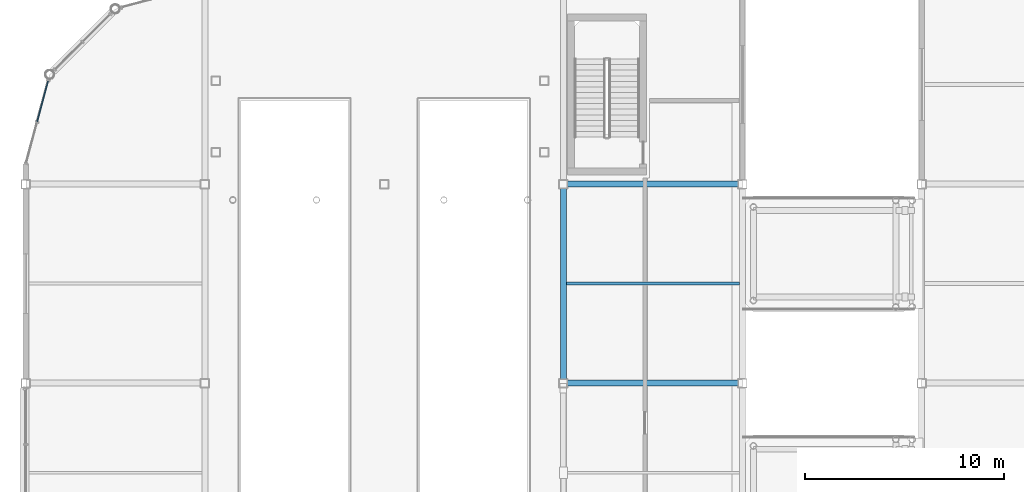
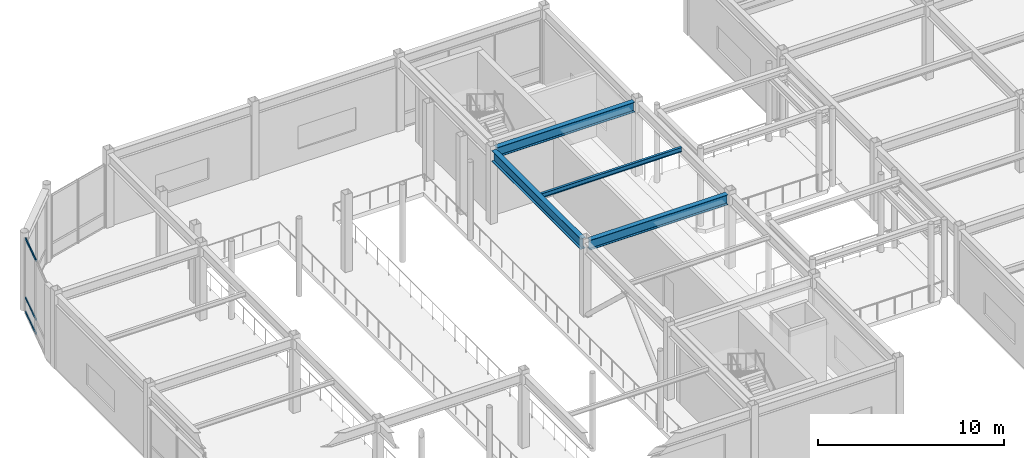
# One storey, part 43 of 123: 4 beams, 3 members, 1 element without a shape of its own.
"""IFC4 building model written with IfcOpenShell, lengths in metres."""

import ifcopenshell
import ifcopenshell.guid

model = None  # the IFC model being written
_history = None  # IfcOwnerHistory: only IFC2X3 demands one
_inside = {}  # id of a spatial element -> (the spatial element, [elements in it])
_under = {}  # id of a project, library or spatial element -> (it, [spatial elements below it])
_declared = {}  # id of a project -> (the project, [libraries it declares])
_typed = {}  # id of a type object -> (the type object, [elements of that type])
_made_of = {}  # id of a material, layer set ... -> (it, [elements and type objects made of it])


def new_model(schema):
    """Start an empty IFC model of exactly this schema.

    Asked for "IFC4X3", IfcOpenShell would pick the latest addendum, in which some entities
    have other attributes; the version numbers below select the first issue.
    IFC2X3 requires an IfcOwnerHistory on every rooted entity: one is made here for all.
    """
    global model, _history
    if schema == "IFC4X3":
        model = ifcopenshell.file(schema_version=(4, 3, 0, 0))
    else:
        model = ifcopenshell.file(schema=schema)
    _inside.clear()
    _under.clear()
    _declared.clear()
    _typed.clear()
    _made_of.clear()
    _history = None
    if model.schema == "IFC2X3":
        org = make("IfcOrganization", Name="unknown")
        user = make(
            "IfcPersonAndOrganization",
            ThePerson=make("IfcPerson", FamilyName="unknown"),
            TheOrganization=org,
        )
        app = make(
            "IfcApplication",
            ApplicationDeveloper=org,
            Version="unknown",
            ApplicationFullName="unknown",
            ApplicationIdentifier="unknown",
        )
        _history = make(
            "IfcOwnerHistory",
            OwningUser=user,
            OwningApplication=app,
            ChangeAction="ADDED",
            CreationDate=0,
        )
    return model


def make(cls, **values):
    """One entity of the class cls with the attributes given. An attribute that is None is left unset."""
    return model.create_entity(
        cls, **{name: value for name, value in values.items() if value is not None}
    )


def rooted(cls, **values):
    """An entity with a GlobalId (a new one), such as an element, a storey or a relation."""
    return make(cls, GlobalId=ifcopenshell.guid.new(), OwnerHistory=_history, **values)


def si_unit(unit_type, name, prefix=None):
    """IfcSIUnit, for example si_unit("LENGTHUNIT", "METRE", prefix="MILLI")."""
    return make("IfcSIUnit", UnitType=unit_type, Prefix=prefix, Name=name)


def assignment(units):
    """IfcUnitAssignment: the units of a project."""
    return None if units is None else make("IfcUnitAssignment", Units=units)


def point(xyz):
    """IfcCartesianPoint."""
    return None if xyz is None else make("IfcCartesianPoint", Coordinates=xyz)


def direction(xyz):
    """IfcDirection."""
    return None if xyz is None else make("IfcDirection", DirectionRatios=xyz)


def frame(location, z_axis=None, x_axis=None):
    """IfcAxis2Placement3D, a coordinate frame: its origin and axes. An axis left out is left unset."""
    return make(
        "IfcAxis2Placement3D",
        Location=point(location),
        Axis=direction(z_axis),
        RefDirection=direction(x_axis),
    )


def frame_2d(location, x_axis=None):
    """IfcAxis2Placement2D, a coordinate frame in the plane: its origin and x axis."""
    return make(
        "IfcAxis2Placement2D", Location=point(location), RefDirection=direction(x_axis)
    )


def origin():
    """The frame at (0, 0, 0) with its axes left unset."""
    return frame((0.0, 0.0, 0.0))


def origin_2d():
    """The frame at (0, 0) in the plane with its x axis left unset."""
    return frame_2d((0.0, 0.0))


def place(relative_to, where):
    """IfcLocalPlacement: puts the frame where relative to a parent placement (None: the world)."""
    return make(
        "IfcLocalPlacement", PlacementRelTo=relative_to, RelativePlacement=where
    )


def context(
    kind, dimensions, precision=None, world=None, true_north=None, identifier=None
):
    """IfcGeometricRepresentationContext, for example the 3D "Model" context."""
    return make(
        "IfcGeometricRepresentationContext",
        ContextIdentifier=identifier,
        ContextType=kind,
        CoordinateSpaceDimension=dimensions,
        Precision=precision,
        WorldCoordinateSystem=world,
        TrueNorth=true_north,
    )


def subcontext(parent, identifier, kind, view, scale=None):
    """IfcGeometricRepresentationSubContext, for example "Body" below "Model"."""
    return make(
        "IfcGeometricRepresentationSubContext",
        ContextIdentifier=identifier,
        ContextType=kind,
        ParentContext=parent,
        TargetScale=scale,
        TargetView=view,
    )


def project(units=None, contexts=None):
    """IfcProject with its units and contexts."""
    return rooted(
        "IfcProject",
        Name="project",
        RepresentationContexts=contexts,
        UnitsInContext=assignment(units),
    )


def spatial(cls, under=None, at=None, **own):
    """A site, building, storey or space (cls), placed at a placement, below another one or the project."""
    s = rooted(cls, ObjectPlacement=at, **own)
    if under is not None:
        _under.setdefault(under.id(), (under, []))[1].append(s)
    return s


def profile(cls, at=None, kind="AREA", **sizes):
    """A parametric profile (cls). Its sizes go by their IFC names, for example OverallWidth=200.0."""
    return make(cls, ProfileType=kind, Position=at, **sizes)


def rectangle(**sizes):
    """IfcRectangleProfileDef."""
    return profile("IfcRectangleProfileDef", **sizes)


def i_section(**sizes):
    """IfcIShapeProfileDef."""
    return profile("IfcIShapeProfileDef", **sizes)


def extrude(swept, where, along, depth):
    """IfcExtrudedAreaSolid: the profile swept, set in the frame where, extruded along a direction by depth."""
    return make(
        "IfcExtrudedAreaSolid",
        SweptArea=swept,
        Position=where,
        ExtrudedDirection=direction(along),
        Depth=depth,
    )


def shape(context_of_items, identifier, shape_type, items):
    """IfcShapeRepresentation: the items that make up one representation, for example the "Body"."""
    return make(
        "IfcShapeRepresentation",
        ContextOfItems=context_of_items,
        RepresentationIdentifier=identifier,
        RepresentationType=shape_type,
        Items=items,
    )


def material(Name=None, Category=None):
    """IfcMaterial."""
    return make("IfcMaterial", Name=Name, Category=Category)


def material_profile(
    of_material, cross_section, Name=None, Category=None, Priority=None
):
    """IfcMaterialProfile: a cross section and its material."""
    return make(
        "IfcMaterialProfile",
        Name=Name,
        Material=of_material,
        Profile=cross_section,
        Priority=Priority,
        Category=Category,
    )


def profile_set(profiles, Name=None, composite=None):
    """IfcMaterialProfileSet."""
    return make(
        "IfcMaterialProfileSet",
        Name=Name,
        MaterialProfiles=profiles,
        CompositeProfile=composite,
    )


def made_of(thing, what):
    """Note that an element or type object is made of a material, layer set ...; save() writes the relation."""
    if what is not None:
        _made_of.setdefault(what.id(), (what, []))[1].append(thing)
    return thing


def type_object(cls, material=None, **own):
    """A type object (cls), such as IfcWallType, which elements share."""
    return made_of(rooted(cls, **own), material)


def element(
    cls,
    number,
    at=None,
    inside=None,
    cuts=None,
    type_object=None,
    material=None,
    context=None,
    identifier="Body",
    shape_type=None,
    held_by="IfcProductDefinitionShape",
    body=None,
    shapes=None,
    **own,
):
    """One element of the class cls, such as IfcWall. Its Tag is "e" and its number.

    at: its placement. inside: the storey or other place that contains it. cuts: it is an
    opening in that element (IfcRelVoidsElement). A single representation is given by context,
    identifier, shape_type and body (its items); several are given by shapes. held_by: the class
    of the entity that holds the representations. save() writes the other relations.
    """
    e = rooted(cls, Tag="e%d" % number, ObjectPlacement=at, **own)
    if body is not None:
        shapes = [shape(context, identifier, shape_type, body)]
    if shapes is not None:
        e.Representation = make(held_by, Representations=shapes)
    if inside is not None:
        _inside.setdefault(inside.id(), (inside, []))[1].append(e)
    if cuts is not None:
        rooted(
            "IfcRelVoidsElement", RelatingBuildingElement=cuts, RelatedOpeningElement=e
        )
    if type_object is not None:
        _typed.setdefault(type_object.id(), (type_object, []))[1].append(e)
    return made_of(e, material)


def aggregate(whole, parts):
    """IfcRelAggregates: a whole, such as a stair, and the parts it consists of."""
    return rooted("IfcRelAggregates", RelatingObject=whole, RelatedObjects=parts)


def save(model, path):
    """Write the relations noted so far, then the file.

    IfcRelAggregates (storeys below a building ...), IfcRelContainedInSpatialStructure (elements
    in a storey), IfcRelDefinesByType, IfcRelAssociatesMaterial and IfcRelDeclares: one each for
    every whole, place, type object, material and project.
    """
    for whole, parts in _under.values():
        aggregate(whole, parts)
    for where, things in _inside.values():
        rooted(
            "IfcRelContainedInSpatialStructure",
            RelatedElements=things,
            RelatingStructure=where,
        )
    for kind, things in _typed.values():
        rooted("IfcRelDefinesByType", RelatedObjects=things, RelatingType=kind)
    for what, things in _made_of.values():
        rooted("IfcRelAssociatesMaterial", RelatedObjects=things, RelatingMaterial=what)
    for by, libraries in _declared.values():
        rooted("IfcRelDeclares", RelatingContext=by, RelatedDefinitions=libraries)
    model.write(path)


model = new_model("IFC4")

# Units and contexts
model_context = context("Model", 3, precision=1e-05, world=origin(), true_north=direction((0.0, 1.0)))
body_context = subcontext(model_context, "Body", "Model", "MODEL_VIEW")
ifc_project = project(units=[si_unit("LENGTHUNIT", "METRE"), si_unit("AREAUNIT", "SQUARE_METRE"), si_unit("VOLUMEUNIT", "CUBIC_METRE"), si_unit("PLANEANGLEUNIT", "RADIAN"), si_unit("MASSUNIT", "GRAM", prefix="KILO")], contexts=[model_context])

# Site, building, storey
site_placement = place(None, origin())
site = spatial("IfcSite", under=ifc_project, at=site_placement, CompositionType="ELEMENT")
building_placement = place(site_placement, origin())
building = spatial("IfcBuilding", under=site, at=building_placement, Name="Suzunagisa Mobility Hub", CompositionType="ELEMENT")
storey_placement = place(building_placement, origin())
storey = spatial("IfcBuildingStorey", under=building, at=storey_placement, Name="L00", CompositionType="ELEMENT", Elevation=0.0)

# Curtain wall, members
ifc_material_1 = material(Name="Thermally Broken Anodized Aluminum and Low-E Glazing", Category="aluminium")
curtain_wall_type = type_object("IfcCurtainWallType", Name="Unitised Curtain Wall CW-08 4500x4800", PredefinedType="USERDEFINED", material=ifc_material_1)
curtain_wall_placement = place(storey_placement, origin())
curtain_wall = element("IfcCurtainWall", 1, at=curtain_wall_placement, inside=storey, type_object=curtain_wall_type, Name="L00 Unitised Curtain Wall CW-50", ObjectType="UNITISED CURTAIN WALL", PredefinedType="USERDEFINED")
ifc_material_2 = material(Name="Anodized Aluminum 6063-T6", Category="aluminium")
ifc_material_profile_1 = material_profile(ifc_material_2, rectangle(XDim=0.06005859375, YDim=0.1201171875, at=origin_2d()), Name="TRAN-60x120")
ifc_profile_set_1 = profile_set([ifc_material_profile_1], Name="Anodized Aluminum 6063-T6")
member_type = type_object("IfcMemberType", Name="Curtain Wall Framing CM-02 TRAN-60x120", PredefinedType="USERDEFINED", material=ifc_profile_set_1)
member_1_placement = place(storey_placement, frame((1.116943359375, 113.168701171875, 0.030029296875), z_axis=(-0.258837010304, -0.965921012349, 0.0), x_axis=(0.965921012349, -0.258837010304, 0.0)))
member_1 = element("IfcMember", 2, at=member_1_placement, type_object=member_type, Name="Curtain Wall Transom 50-T1.1", ObjectType="TRANSOM", PredefinedType="USERDEFINED", context=body_context, shape_type="SweptSolid", body=[
    extrude(rectangle(XDim=0.06005859375, YDim=0.1201171875, at=origin_2d()), origin(), (0.0, 0.0, 1.0), 2.095947265625),
])
member_2_placement = place(storey_placement, frame((1.116943359375, 113.168701171875, 0.949951171875), z_axis=(-0.258837010304, -0.965921012349, 0.0), x_axis=(0.965921012349, -0.258837010304, 0.0)))
member_2 = element("IfcMember", 3, at=member_2_placement, type_object=member_type, Name="Curtain Wall Transom 50-T1.2", ObjectType="TRANSOM", PredefinedType="USERDEFINED", context=body_context, shape_type="SweptSolid", body=[
    extrude(rectangle(XDim=0.06005859375, YDim=0.1201171875, at=origin_2d()), origin(), (0.0, 0.0, 1.0), 2.095947265625),
])
member_3_placement = place(storey_placement, frame((1.116943359375, 113.168701171875, 4.81005859375), z_axis=(-0.258837010304, -0.965921012349, 0.0), x_axis=(0.965921012349, -0.258837010304, 0.0)))
member_3 = element("IfcMember", 4, at=member_3_placement, type_object=member_type, Name="Curtain Wall Transom 50-T1.3", ObjectType="TRANSOM", PredefinedType="USERDEFINED", context=body_context, shape_type="SweptSolid", body=[
    extrude(rectangle(XDim=0.06005859375, YDim=0.1201171875, at=origin_2d()), origin(), (0.0, 0.0, 1.0), 2.095947265625),
])
aggregate(curtain_wall, [member_1, member_2, member_3])

# Beams
ifc_material_3 = material(Name="Steel SN490B", Category="steel")
ifc_material_profile_2 = material_profile(ifc_material_3, i_section(OverallWidth=0.300048828125, OverallDepth=0.64990234375, WebThickness=0.012939453125, FlangeThickness=0.02197265625, FilletRadius=0.01611328125, at=origin_2d()), Name="H-650x300x13x22")
ifc_profile_set_2 = profile_set([ifc_material_profile_2], Name="Steel SN490B")
beam_type_1 = type_object("IfcBeamType", Name="Steel Beam BM-10 H-650x300x13x22", PredefinedType="BEAM", material=ifc_profile_set_2)
for number, where, z_axis, x_axis, name in (
    (5, (27.220947265625, 98.0, 4.514892578125), (1.0, 0.0, 0.0), (0.0, 1.0, 0.0), "L00 Primary Girder GX-458"),
    (6, (27.220947265625, 108.0, 4.514892578125), (1.0, 0.0, 0.0), (0.0, 1.0, 0.0), "L00 Primary Girder GX-460"),
):
    element("IfcBeam", number, at=place(storey_placement, frame(where, z_axis=z_axis, x_axis=x_axis)), inside=storey, type_object=beam_type_1, Name=name, PredefinedType="BEAM", context=body_context, shape_type="SweptSolid", body=[
        extrude(i_section(OverallWidth=0.300048828125, OverallDepth=0.64990234375, WebThickness=0.012939453125, FlangeThickness=0.02197265625, FilletRadius=0.01611328125, at=origin_2d()), origin(), (0.0, 0.0, 1.0), 8.55810546875),
    ])
ifc_material_profile_3 = material_profile(ifc_material_3, i_section(OverallWidth=0.300048828125, OverallDepth=0.699951171875, WebThickness=0.012939453125, FlangeThickness=0.02392578125, FilletRadius=0.01806640625, at=origin_2d()), Name="H-700x300x13x24")
ifc_profile_set_3 = profile_set([ifc_material_profile_3], Name="Steel SN490B")
beam_type_2 = type_object("IfcBeamType", Name="Steel Beam BM-11 H-700x300x13x24", PredefinedType="BEAM", material=ifc_profile_set_3)
beam_1_placement = place(storey_placement, frame((27.0, 98.220947265625, 4.489990234375), z_axis=(0.0, 1.0, 0.0), x_axis=(-1.0, 0.0, 0.0)))
element("IfcBeam", 7, at=beam_1_placement, inside=storey, type_object=beam_type_2, Name="L00 Primary Girder GY-473", PredefinedType="BEAM", context=body_context, shape_type="SweptSolid", body=[
    extrude(i_section(OverallWidth=0.300048828125, OverallDepth=0.699951171875, WebThickness=0.012939453125, FlangeThickness=0.02392578125, FilletRadius=0.01806640625, at=origin_2d()), origin(), (0.0, 0.0, 1.0), 9.55810546875),
])
ifc_material_4 = material(Name="Steel SN400B", Category="steel")
ifc_material_profile_4 = material_profile(ifc_material_4, i_section(OverallWidth=0.14990234375, OverallDepth=0.300048828125, WebThickness=0.006591796875, FlangeThickness=0.009033203125, FilletRadius=0.008056640625, at=origin_2d()), Name="H-300x150x6.5x9")
ifc_profile_set_4 = profile_set([ifc_material_profile_4], Name="Steel SN400B")
beam_type_3 = type_object("IfcBeamType", Name="Steel Beam BM-24 H-300x150x6.5x9", PredefinedType="JOIST", material=ifc_profile_set_4)
beam_2_placement = place(storey_placement, frame((27.14990234375, 103.0, 4.68994140625), z_axis=(1.0, 0.0, 0.0), x_axis=(0.0, 1.0, 0.0)))
element("IfcBeam", 8, at=beam_2_placement, inside=storey, type_object=beam_type_3, Name="L00 Composite Floor Joist J-485", PredefinedType="JOIST", context=body_context, shape_type="SweptSolid", body=[
    extrude(i_section(OverallWidth=0.14990234375, OverallDepth=0.300048828125, WebThickness=0.006591796875, FlangeThickness=0.009033203125, FilletRadius=0.008056640625, at=origin_2d()), origin(), (0.0, 0.0, 1.0), 8.7001953125),
])

save(model, "model.ifc")
